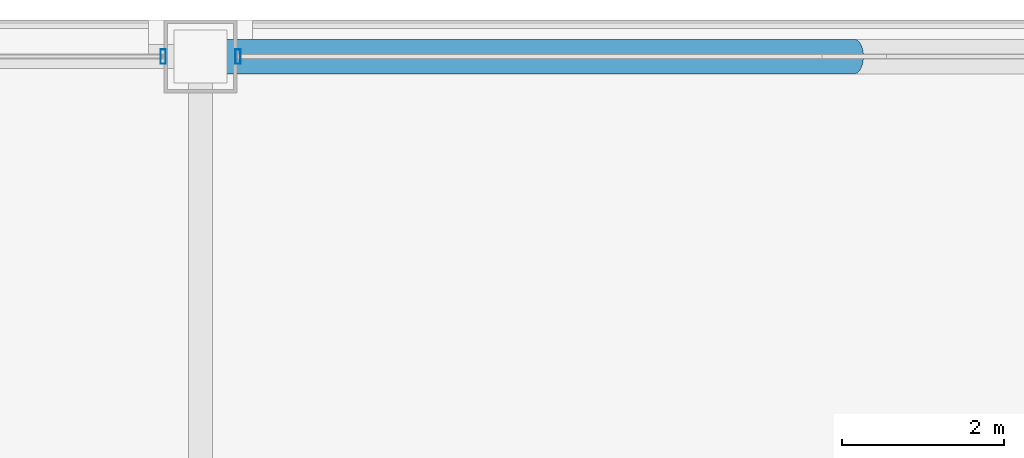
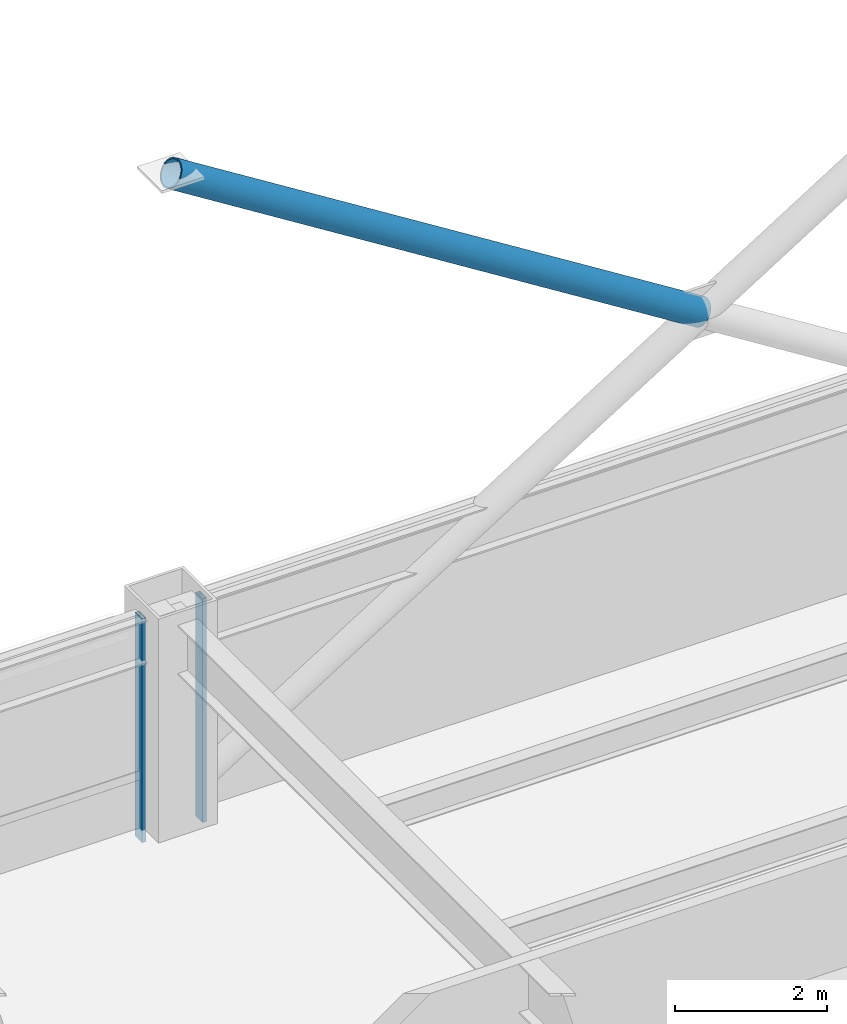
# One storey, part 18 of 30: 3 members, 2 elements without a shape of their own.
"""IFC4 building model written with IfcOpenShell, lengths in metres."""

from ifc_helpers import new_model, si_unit, direction, frame, origin, origin_2d, place, context, subcontext, project, spatial, hollow_rectangle, hollow_circle, extrude, material, layer, layer_set, material_profile, profile_set, type_object, element, aggregate, save


model = new_model("IFC4")

# Units and contexts
model_context = context("Model", 3, precision=1e-05, world=origin(), true_north=direction((0.0, 1.0)))
body_context = subcontext(model_context, "Body", "Model", "MODEL_VIEW")
ifc_project = project(units=[si_unit("LENGTHUNIT", "METRE"), si_unit("AREAUNIT", "SQUARE_METRE"), si_unit("VOLUMEUNIT", "CUBIC_METRE"), si_unit("PLANEANGLEUNIT", "RADIAN"), si_unit("MASSUNIT", "GRAM", prefix="KILO")], contexts=[model_context])

# Site, building, storey
site_placement = place(None, origin())
site = spatial("IfcSite", under=ifc_project, at=site_placement, CompositionType="ELEMENT")
building_placement = place(site_placement, origin())
building = spatial("IfcBuilding", under=site, at=building_placement, Name="Brelmoor Portico Tower", CompositionType="ELEMENT")
storey_placement = place(building_placement, frame((0.0, 0.0, 56.39990234375)))
storey = spatial("IfcBuildingStorey", under=building, at=storey_placement, Name="L14", CompositionType="ELEMENT", Elevation=56.39990234375)

# Member
ifc_material_1 = material(Name="Steel Q355B", Category="steel")
ifc_material_profile_1 = material_profile(ifc_material_1, hollow_circle(Radius=0.212890625, WallThickness=0.02001953125, at=origin_2d()), Name="CHS 426x20")
ifc_profile_set_1 = profile_set([ifc_material_profile_1], Name="Steel Q355B")
member_type_1 = type_object("IfcMemberType", Name="MB-BELT-DIAG1", PredefinedType="BRACE", material=ifc_profile_set_1)
member_1_placement = place(storey_placement, frame((0.0, 21.550048828125, 5.300048828125), z_axis=(-0.847109476093, 0.0, 0.531418418493), x_axis=(0.0, -1.0, 0.0)))
element("IfcMember", 1, at=member_1_placement, inside=storey, type_object=member_type_1, Name="L14 Split Mega-X Brace 028B2", PredefinedType="BRACE", context=body_context, shape_type="SweptSolid", body=[
    extrude(hollow_circle(Radius=0.212890625, WallThickness=0.02001953125, at=origin_2d()), origin(), (0.0, 0.0, 1.0), 9.5029296875),
])

# Curtain wall, member
ifc_material_2 = material(Name="Anodised Aluminium Alloy 6063-T6", Category="aluminium")
ifc_layer_1 = layer(ifc_material_2, 0.179931640625)
ifc_layer_set_1 = layer_set([ifc_layer_1], Name="Anodised Aluminium Alloy 6063-T6")
curtain_wall_type_1 = type_object("IfcCurtainWallType", Name="CW-TOWER-Z1", PredefinedType="NOTDEFINED", material=ifc_layer_set_1)
curtain_wall_1_placement = place(storey_placement, origin())
curtain_wall_1 = element("IfcCurtainWall", 2, at=curtain_wall_1_placement, inside=storey, type_object=curtain_wall_type_1, Name="L14 Curtain Wall CW-L14-02-2", PredefinedType="NOTDEFINED")
ifc_material_profile_2 = material_profile(ifc_material_2, hollow_rectangle(XDim=0.06494140625, YDim=0.179931640625, WallThickness=0.00390625, at=origin_2d()), Name="ALU MULLION 65x180")
ifc_profile_set_2 = profile_set([ifc_material_profile_2], Name="Anodised Aluminium Alloy 6063-T6")
member_type_2 = type_object("IfcMemberType", Name="MB-CW-MULL-180", PredefinedType="MULLION", material=ifc_profile_set_2)
member_2_placement = place(storey_placement, frame((-8.510009765625, 21.550048828125, -0.199951171875), z_axis=(0.0, 0.0, 1.0), x_axis=(1.0, 0.0, 0.0)))
member_2 = element("IfcMember", 3, at=member_2_placement, type_object=member_type_2, Name="CW-L14-02-2 Mullion 01", PredefinedType="MULLION", context=body_context, shape_type="SweptSolid", body=[
    extrude(hollow_rectangle(XDim=0.06494140625, YDim=0.179931640625, WallThickness=0.00390625, at=origin_2d()), origin(), (0.0, 0.0, 1.0), 3.60009765625),
])
aggregate(curtain_wall_1, [member_2])

ifc_layer_2 = layer(ifc_material_2, 0.179931640625)
ifc_layer_set_2 = layer_set([ifc_layer_2], Name="Anodised Aluminium Alloy 6063-T6")
curtain_wall_type_2 = type_object("IfcCurtainWallType", Name="CW-TOWER-Z1-XB", PredefinedType="NOTDEFINED", material=ifc_layer_set_2)
curtain_wall_2_placement = place(storey_placement, origin())
curtain_wall_2 = element("IfcCurtainWall", 4, at=curtain_wall_2_placement, inside=storey, type_object=curtain_wall_type_2, Name="L14 Curtain Wall CW-L14-02-3", PredefinedType="NOTDEFINED")
member_3_placement = place(storey_placement, frame((-7.590087890625, 21.550048828125, -0.199951171875), z_axis=(0.0, 0.0, 1.0), x_axis=(1.0, 0.0, 0.0)))
member_3 = element("IfcMember", 5, at=member_3_placement, type_object=member_type_2, Name="CW-L14-02-3 Mullion 00", PredefinedType="MULLION", context=body_context, shape_type="SweptSolid", body=[
    extrude(hollow_rectangle(XDim=0.06494140625, YDim=0.179931640625, WallThickness=0.00390625, at=origin_2d()), origin(), (0.0, 0.0, 1.0), 3.60009765625),
])
aggregate(curtain_wall_2, [member_3])

save(model, "model.ifc")
